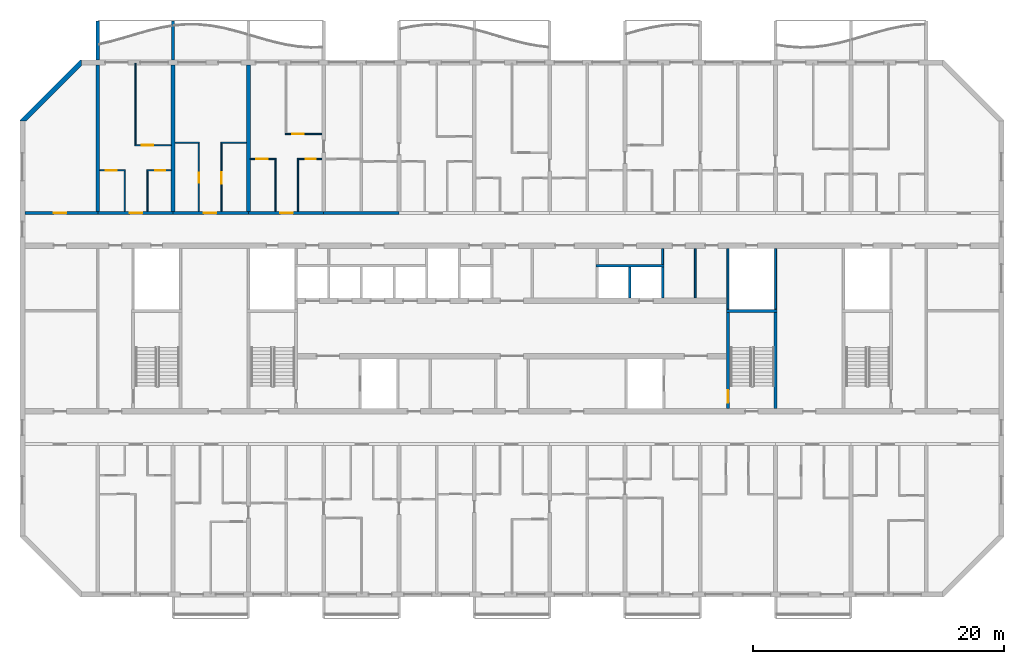
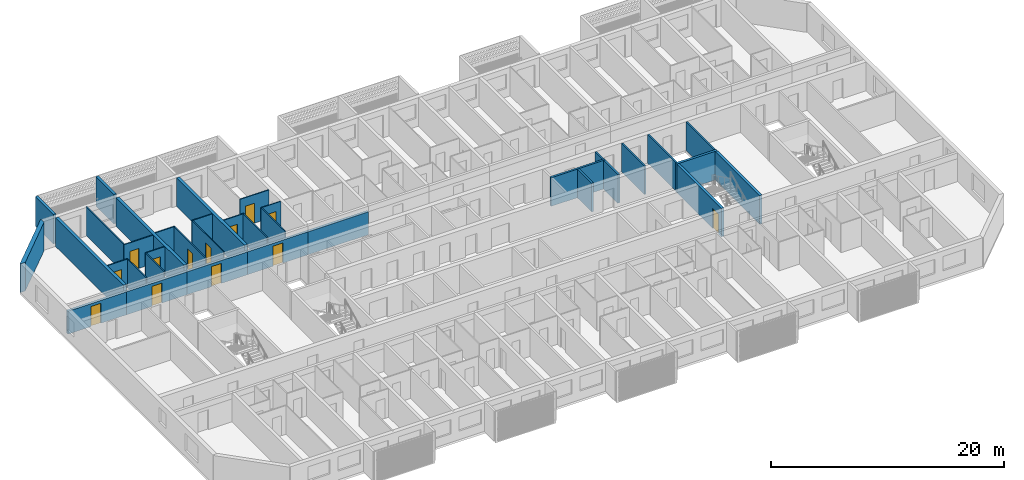
# One storey, part 8 of 32: 36 walls, 13 doors, 13 openings.
"""IFC4 building model written with IfcOpenShell, lengths in metres."""

from ifc_helpers import new_model, si_unit, direction, frame, frame_2d, origin, place, context, subcontext, project, spatial, polyline, rectangle, outline, extrude, source, transform, mapped, material, layer, layer_set, type_object, element, fill, save


model = new_model("IFC4")

# Units and contexts
model_context = context("Model", 3, precision=1e-05, world=origin(), true_north=direction((0.0, 1.0)))
body_context = subcontext(model_context, "Body", "Model", "MODEL_VIEW")
ifc_project = project(units=[si_unit("LENGTHUNIT", "METRE"), si_unit("AREAUNIT", "SQUARE_METRE"), si_unit("VOLUMEUNIT", "CUBIC_METRE"), si_unit("PLANEANGLEUNIT", "RADIAN"), si_unit("MASSUNIT", "GRAM", prefix="KILO")], contexts=[model_context])

# Site, building, storey
site_placement = place(None, origin())
site = spatial("IfcSite", under=ifc_project, at=site_placement, CompositionType="ELEMENT")
building_placement = place(site_placement, origin())
building = spatial("IfcBuilding", under=site, at=building_placement, Name="Poui Terraces", CompositionType="ELEMENT")
storey_placement = place(building_placement, frame((0.0, 0.0, 155.39990234375)))
storey = spatial("IfcBuildingStorey", under=building, at=storey_placement, Name="L43", CompositionType="ELEMENT", Elevation=155.39990234375)

# Wall, opening, door
ifc_material_1 = material(Name="Concrete 65 MPa", Category="concrete")
ifc_layer_1 = layer(ifc_material_1, 0.25)
ifc_layer_set_1 = layer_set([ifc_layer_1], Name="Concrete 65 MPa")
wall_type_1 = type_object("IfcWallType", Name="CORRIDOR WALL 250 65MPa", PredefinedType="SHEAR", material=ifc_layer_set_1)
wall_1_placement = place(storey_placement, frame((12.199951171875, 30.39990234375, 0.0), z_axis=(0.0, 0.0, 1.0), x_axis=(1.0, 0.0, 0.0)))
wall_1 = element("IfcWall", 1, at=wall_1_placement, inside=storey, type_object=wall_type_1, Name="CORRIDOR WALL LINE E BAY 1", PredefinedType="SHEAR", context=body_context, shape_type="SweptSolid", body=[
    extrude(rectangle(XDim=5.800048828125, YDim=0.25, at=frame_2d((2.89990234375, 0.0))), origin(), (0.0, 0.0, 1.0), 2.400146484375),
])
opening_1_placement = place(wall_1_placement, frame((2.300048828125, 0.0, 0.0)))
opening_1 = element("IfcOpeningElement", 2, at=opening_1_placement, cuts=wall_1, Name="Opening D100", PredefinedType="OPENING", context=body_context, shape_type="SweptSolid", body=[
    extrude(rectangle(XDim=1.0, YDim=2.10009765625, at=frame_2d((0.5, 1.050048828125))), frame((0.0, 0.135009765625, 0.0), z_axis=(0.0, -1.0, 0.0), x_axis=(1.0, 0.0, 0.0)), (0.0, 0.0, 1.0), 0.27001953125),
])
ifc_material_2 = material(Name="Solid core timber door", Category="wood")
door_type_1 = type_object("IfcDoorType", Name="ACCESSIBLE INTERNAL DOOR 1000 X 2100", OperationType="NOTDEFINED", PredefinedType="DOOR", material=ifc_material_2)
door_1_placement = place(opening_1_placement, origin())
door_1 = element("IfcDoor", 3, at=door_1_placement, inside=storey, type_object=door_type_1, Name="ACCESSIBLE INTERNAL DOOR 029", OperationType="SINGLE_SWING_LEFT", OverallHeight=2.10009765625, OverallWidth=1.0, PredefinedType="DOOR", context=body_context, shape_type="SweptSolid", body=[
    extrude(rectangle(XDim=1.0, YDim=2.10009765625, at=frame_2d((0.5, 1.050048828125))), frame((0.0, 0.02490234375, 0.0), z_axis=(0.0, -1.0, 0.0), x_axis=(1.0, 0.0, 0.0)), (0.0, 0.0, 1.0), 0.050048828125),
])
fill(opening_1, door_1)

wall_2_placement = place(storey_placement, frame((18.0, 30.39990234375, 0.0), z_axis=(0.0, 0.0, 1.0), x_axis=(1.0, 0.0, 0.0)))
wall_2 = element("IfcWall", 4, at=wall_2_placement, inside=storey, type_object=wall_type_1, Name="CORRIDOR WALL LINE E BAY 2", PredefinedType="SHEAR", context=body_context, shape_type="SweptSolid", body=[
    extrude(rectangle(XDim=6.0, YDim=0.25, at=frame_2d((3.0, 0.0))), origin(), (0.0, 0.0, 1.0), 2.400146484375),
])
opening_2_placement = place(wall_2_placement, frame((2.550048828125, 0.0, 0.0)))
opening_2 = element("IfcOpeningElement", 5, at=opening_2_placement, cuts=wall_2, Name="Opening FD30S", PredefinedType="OPENING", context=body_context, shape_type="SweptSolid", body=[
    extrude(rectangle(XDim=1.0, YDim=2.10009765625, at=frame_2d((0.5, 1.050048828125))), frame((0.0, 0.135009765625, 0.0), z_axis=(0.0, -1.0, 0.0), x_axis=(1.0, 0.0, 0.0)), (0.0, 0.0, 1.0), 0.27001953125),
])
ifc_material_3 = material(Name="Steel fire door", Category="steel")
door_type_2 = type_object("IfcDoorType", Name="FLAT ENTRANCE DOOR 1000 X 2100", OperationType="NOTDEFINED", PredefinedType="DOOR", material=ifc_material_3)
door_2_placement = place(opening_2_placement, origin())
door_2 = element("IfcDoor", 6, at=door_2_placement, inside=storey, type_object=door_type_2, Name="FLAT ENTRANCE DOOR 031", OperationType="SINGLE_SWING_RIGHT", OverallHeight=2.10009765625, OverallWidth=1.0, PredefinedType="DOOR", context=body_context, shape_type="SweptSolid", body=[
    extrude(rectangle(XDim=1.0, YDim=2.10009765625, at=frame_2d((0.5, 1.050048828125))), frame((0.0, 0.02490234375, 0.0), z_axis=(0.0, -1.0, 0.0), x_axis=(1.0, 0.0, 0.0)), (0.0, 0.0, 1.0), 0.050048828125),
])
fill(opening_2, door_2)

wall_3_placement = place(storey_placement, frame((24.0, 30.39990234375, 0.0), z_axis=(0.0, 0.0, 1.0), x_axis=(1.0, 0.0, 0.0)))
wall_3 = element("IfcWall", 7, at=wall_3_placement, inside=storey, type_object=wall_type_1, Name="CORRIDOR WALL LINE E BAY 3", PredefinedType="SHEAR", context=body_context, shape_type="SweptSolid", body=[
    extrude(rectangle(XDim=6.0, YDim=0.25, at=frame_2d((3.0, 0.0))), origin(), (0.0, 0.0, 1.0), 2.400146484375),
])
opening_3_placement = place(wall_3_placement, frame((2.449951171875, 0.0, 0.0)))
opening_3 = element("IfcOpeningElement", 8, at=opening_3_placement, cuts=wall_3, Name="Opening FD30S", PredefinedType="OPENING", context=body_context, shape_type="SweptSolid", body=[
    extrude(rectangle(XDim=1.0, YDim=2.10009765625, at=frame_2d((0.5, 1.050048828125))), frame((0.0, 0.135009765625, 0.0), z_axis=(0.0, -1.0, 0.0), x_axis=(1.0, 0.0, 0.0)), (0.0, 0.0, 1.0), 0.27001953125),
])
door_3_placement = place(opening_3_placement, origin())
door_3 = element("IfcDoor", 9, at=door_3_placement, inside=storey, type_object=door_type_2, Name="FLAT ENTRANCE DOOR 035", OperationType="SINGLE_SWING_LEFT", OverallHeight=2.10009765625, OverallWidth=1.0, PredefinedType="DOOR", context=body_context, shape_type="SweptSolid", body=[
    extrude(rectangle(XDim=1.0, YDim=2.10009765625, at=frame_2d((0.5, 1.050048828125))), frame((0.0, 0.02490234375, 0.0), z_axis=(0.0, -1.0, 0.0), x_axis=(1.0, 0.0, 0.0)), (0.0, 0.0, 1.0), 0.050048828125),
])
fill(opening_3, door_3)

wall_4_placement = place(storey_placement, frame((30.0, 30.39990234375, 0.0), z_axis=(0.0, 0.0, 1.0), x_axis=(1.0, 0.0, 0.0)))
wall_4 = element("IfcWall", 10, at=wall_4_placement, inside=storey, type_object=wall_type_1, Name="CORRIDOR WALL LINE E BAY 4", PredefinedType="SHEAR", context=body_context, shape_type="SweptSolid", body=[
    extrude(rectangle(XDim=6.0, YDim=0.25, at=frame_2d((3.0, 0.0))), origin(), (0.0, 0.0, 1.0), 2.400146484375),
])
opening_4_placement = place(wall_4_placement, frame((2.550048828125, 0.0, 0.0)))
opening_4 = element("IfcOpeningElement", 11, at=opening_4_placement, cuts=wall_4, Name="Opening FD30S", PredefinedType="OPENING", context=body_context, shape_type="SweptSolid", body=[
    extrude(rectangle(XDim=1.0, YDim=2.10009765625, at=frame_2d((0.5, 1.050048828125))), frame((0.0, 0.135009765625, 0.0), z_axis=(0.0, -1.0, 0.0), x_axis=(1.0, 0.0, 0.0)), (0.0, 0.0, 1.0), 0.27001953125),
])
door_4_placement = place(opening_4_placement, origin())
door_4 = element("IfcDoor", 12, at=door_4_placement, inside=storey, type_object=door_type_2, Name="FLAT ENTRANCE DOOR 039", OperationType="SINGLE_SWING_RIGHT", OverallHeight=2.10009765625, OverallWidth=1.0, PredefinedType="DOOR", context=body_context, shape_type="SweptSolid", body=[
    extrude(rectangle(XDim=1.0, YDim=2.10009765625, at=frame_2d((0.5, 1.050048828125))), frame((0.0, 0.02490234375, 0.0), z_axis=(0.0, -1.0, 0.0), x_axis=(1.0, 0.0, 0.0)), (0.0, 0.0, 1.0), 0.050048828125),
])
fill(opening_4, door_4)

# Walls
wall_5_placement = place(storey_placement, frame((36.0, 30.39990234375, 0.0), z_axis=(0.0, 0.0, 1.0), x_axis=(1.0, 0.0, 0.0)))
element("IfcWall", 13, at=wall_5_placement, inside=storey, type_object=wall_type_1, Name="CORRIDOR WALL LINE E BAY 5", PredefinedType="SHEAR", context=body_context, shape_type="SweptSolid", body=[
    extrude(rectangle(XDim=6.0, YDim=0.25, at=frame_2d((3.0, 0.0))), origin(), (0.0, 0.0, 1.0), 2.400146484375),
])
ifc_layer_2 = layer(ifc_material_1, 0.300048828125)
ifc_layer_set_2 = layer_set([ifc_layer_2], Name="Concrete 65 MPa")
wall_type_2 = type_object("IfcWallType", Name="CROSS WALL 300 65MPa", PredefinedType="SHEAR", material=ifc_layer_set_2)
for number, where, z_axis, x_axis, name in (
    (14, (18.0, 30.52490234375, 0.0), (0.0, 0.0, 1.0), (0.0, 1.0, 0.0), "CROSS WALL LINE 4 NORTH"),
    (15, (24.0, 30.52490234375, 0.0), (0.0, 0.0, 1.0), (0.0, 1.0, 0.0), "CROSS WALL LINE 5 NORTH"),
    (16, (30.0, 30.52490234375, 0.0), (0.0, 0.0, 1.0), (0.0, 1.0, 0.0), "CROSS WALL LINE 6 NORTH"),
):
    element("IfcWall", number, at=place(storey_placement, frame(where, z_axis=z_axis, x_axis=x_axis)), inside=storey, type_object=wall_type_2, Name=name, PredefinedType="SHEAR", context=body_context, shape_type="SweptSolid", body=[
        extrude(rectangle(XDim=11.675048828125, YDim=0.300048828125, at=frame_2d((5.83740234375, 0.0))), origin(), (0.0, 0.0, 1.0), 3.0),
    ])

# Wall, opening, door
ifc_material_4 = material(Name="Plasterboard partition")
ifc_layer_3 = layer(ifc_material_4, 0.10009765625)
ifc_layer_set_3 = layer_set([ifc_layer_3], Name="Plasterboard partition")
wall_type_3 = type_object("IfcWallType", Name="FLAT PARTITION 100", PredefinedType="PARTITIONING", material=ifc_layer_set_3)
wall_6_placement = place(storey_placement, frame((18.159912109375, 33.800048828125, 0.0), z_axis=(0.0, 0.0, 1.0), x_axis=(1.0, 0.0, 0.0)))
wall_6 = element("IfcWall", 17, at=wall_6_placement, inside=storey, type_object=wall_type_3, Name="FLAT PARTITION 100", PredefinedType="PARTITIONING", context=body_context, shape_type="SweptSolid", body=[
    extrude(rectangle(XDim=2.0400390625, YDim=0.10009765625, at=frame_2d((1.02001953125, 0.0))), origin(), (0.0, 0.0, 1.0), 3.0),
])
opening_5_placement = place(wall_6_placement, frame((0.465087890625, 0.0, 0.0)))
opening_5 = element("IfcOpeningElement", 18, at=opening_5_placement, cuts=wall_6, Name="Opening D90", PredefinedType="OPENING", context=body_context, shape_type="SweptSolid", body=[
    extrude(rectangle(XDim=0.89990234375, YDim=2.10009765625, at=frame_2d((0.449951171875, 1.050048828125))), frame((0.0, 0.06005859375, 0.0), z_axis=(0.0, -1.0, 0.0), x_axis=(1.0, 0.0, 0.0)), (0.0, 0.0, 1.0), 0.1201171875),
])
door_type_3 = type_object("IfcDoorType", Name="INTERNAL DOOR 900 X 2100", OperationType="NOTDEFINED", PredefinedType="DOOR", material=ifc_material_2)
door_5_placement = place(opening_5_placement, frame((0.89990234375, 0.0, 0.0), z_axis=(0.0, 0.0, 1.0), x_axis=(-1.0, 0.0, 0.0)))
door_5 = element("IfcDoor", 19, at=door_5_placement, inside=storey, type_object=door_type_3, Name="INTERNAL DOOR 030", OperationType="SINGLE_SWING_LEFT", OverallHeight=2.10009765625, OverallWidth=0.89990234375, PredefinedType="DOOR", context=body_context, shape_type="SweptSolid", body=[
    extrude(rectangle(XDim=0.89990234375, YDim=2.10009765625, at=frame_2d((0.449951171875, 1.050048828125))), frame((0.0, 0.02490234375, 0.0), z_axis=(0.0, -1.0, 0.0), x_axis=(1.0, 0.0, 0.0)), (0.0, 0.0, 1.0), 0.050048828125),
])
fill(opening_5, door_5)

wall_7_placement = place(storey_placement, frame((21.89990234375, 33.800048828125, 0.0), z_axis=(0.0, 0.0, 1.0), x_axis=(1.0, 0.0, 0.0)))
wall_7 = element("IfcWall", 20, at=wall_7_placement, inside=storey, type_object=wall_type_3, Name="FLAT PARTITION 100", PredefinedType="PARTITIONING", context=body_context, shape_type="SweptSolid", body=[
    extrude(rectangle(XDim=1.940185546875, YDim=0.10009765625, at=frame_2d((0.97021484375, 0.0))), origin(), (0.0, 0.0, 1.0), 3.0),
])
opening_6_placement = place(wall_7_placement, frame((0.675048828125, 0.0, 0.0)))
opening_6 = element("IfcOpeningElement", 21, at=opening_6_placement, cuts=wall_7, Name="Opening D80", PredefinedType="OPENING", context=body_context, shape_type="SweptSolid", body=[
    extrude(rectangle(XDim=0.800048828125, YDim=2.10009765625, at=frame_2d((0.39990234375, 1.050048828125))), frame((0.0, 0.06005859375, 0.0), z_axis=(0.0, -1.0, 0.0), x_axis=(1.0, 0.0, 0.0)), (0.0, 0.0, 1.0), 0.1201171875),
])
door_type_4 = type_object("IfcDoorType", Name="BATHROOM, LAUNDRY AND STORE DOOR 800 X 2100", OperationType="NOTDEFINED", PredefinedType="DOOR", material=ifc_material_2)
door_6_placement = place(opening_6_placement, frame((0.800048828125, 0.0, 0.0), z_axis=(0.0, 0.0, 1.0), x_axis=(-1.0, 0.0, 0.0)))
door_6 = element("IfcDoor", 22, at=door_6_placement, inside=storey, type_object=door_type_4, Name="BATHROOM, LAUNDRY AND STORE DOOR 033", OperationType="SINGLE_SWING_RIGHT", OverallHeight=2.10009765625, OverallWidth=0.800048828125, PredefinedType="DOOR", context=body_context, shape_type="SweptSolid", body=[
    extrude(rectangle(XDim=0.800048828125, YDim=2.10009765625, at=frame_2d((0.39990234375, 1.050048828125))), frame((0.0, 0.02490234375, 0.0), z_axis=(0.0, -1.0, 0.0), x_axis=(1.0, 0.0, 0.0)), (0.0, 0.0, 1.0), 0.050048828125),
])
fill(opening_6, door_6)

wall_8_placement = place(storey_placement, frame((30.159912109375, 34.699951171875, 0.0), z_axis=(0.0, 0.0, 1.0), x_axis=(1.0, 0.0, 0.0)))
wall_8 = element("IfcWall", 23, at=wall_8_placement, inside=storey, type_object=wall_type_3, Name="FLAT PARTITION 100", PredefinedType="PARTITIONING", context=body_context, shape_type="SweptSolid", body=[
    extrude(rectangle(XDim=2.0400390625, YDim=0.10009765625, at=frame_2d((1.02001953125, 0.0))), origin(), (0.0, 0.0, 1.0), 3.0),
])
opening_7_placement = place(wall_8_placement, frame((0.465087890625, 0.0, 0.0)))
opening_7 = element("IfcOpeningElement", 24, at=opening_7_placement, cuts=wall_8, Name="Opening D90", PredefinedType="OPENING", context=body_context, shape_type="SweptSolid", body=[
    extrude(rectangle(XDim=0.89990234375, YDim=2.10009765625, at=frame_2d((0.449951171875, 1.050048828125))), frame((0.0, 0.06005859375, 0.0), z_axis=(0.0, -1.0, 0.0), x_axis=(1.0, 0.0, 0.0)), (0.0, 0.0, 1.0), 0.1201171875),
])
door_7_placement = place(opening_7_placement, frame((0.89990234375, 0.0, 0.0), z_axis=(0.0, 0.0, 1.0), x_axis=(-1.0, 0.0, 0.0)))
door_7 = element("IfcDoor", 25, at=door_7_placement, inside=storey, type_object=door_type_3, Name="INTERNAL DOOR 038", OperationType="SINGLE_SWING_LEFT", OverallHeight=2.10009765625, OverallWidth=0.89990234375, PredefinedType="DOOR", context=body_context, shape_type="SweptSolid", body=[
    extrude(rectangle(XDim=0.89990234375, YDim=2.10009765625, at=frame_2d((0.449951171875, 1.050048828125))), frame((0.0, 0.02490234375, 0.0), z_axis=(0.0, -1.0, 0.0), x_axis=(1.0, 0.0, 0.0)), (0.0, 0.0, 1.0), 0.050048828125),
])
fill(opening_7, door_7)

wall_9_placement = place(storey_placement, frame((33.89990234375, 34.699951171875, 0.0), z_axis=(0.0, 0.0, 1.0), x_axis=(1.0, 0.0, 0.0)))
wall_9 = element("IfcWall", 26, at=wall_9_placement, inside=storey, type_object=wall_type_3, Name="FLAT PARTITION 100", PredefinedType="PARTITIONING", context=body_context, shape_type="SweptSolid", body=[
    extrude(rectangle(XDim=1.940185546875, YDim=0.10009765625, at=frame_2d((0.97021484375, 0.0))), origin(), (0.0, 0.0, 1.0), 3.0),
])
opening_8_placement = place(wall_9_placement, frame((0.675048828125, 0.0, 0.0)))
opening_8 = element("IfcOpeningElement", 27, at=opening_8_placement, cuts=wall_9, Name="Opening D80", PredefinedType="OPENING", context=body_context, shape_type="SweptSolid", body=[
    extrude(rectangle(XDim=0.800048828125, YDim=2.10009765625, at=frame_2d((0.39990234375, 1.050048828125))), frame((0.0, 0.06005859375, 0.0), z_axis=(0.0, -1.0, 0.0), x_axis=(1.0, 0.0, 0.0)), (0.0, 0.0, 1.0), 0.1201171875),
])
door_8_placement = place(opening_8_placement, frame((0.800048828125, 0.0, 0.0), z_axis=(0.0, 0.0, 1.0), x_axis=(-1.0, 0.0, 0.0)))
door_8 = element("IfcDoor", 28, at=door_8_placement, inside=storey, type_object=door_type_4, Name="BATHROOM, LAUNDRY AND STORE DOOR 041", OperationType="SINGLE_SWING_RIGHT", OverallHeight=2.10009765625, OverallWidth=0.800048828125, PredefinedType="DOOR", context=body_context, shape_type="SweptSolid", body=[
    extrude(rectangle(XDim=0.800048828125, YDim=2.10009765625, at=frame_2d((0.39990234375, 1.050048828125))), frame((0.0, 0.02490234375, 0.0), z_axis=(0.0, -1.0, 0.0), x_axis=(1.0, 0.0, 0.0)), (0.0, 0.0, 1.0), 0.050048828125),
])
fill(opening_8, door_8)

wall_10_placement = place(storey_placement, frame((20.949951171875, 35.800048828125, 0.0), z_axis=(0.0, 0.0, 1.0), x_axis=(1.0, 0.0, 0.0)))
wall_10 = element("IfcWall", 29, at=wall_10_placement, inside=storey, type_object=wall_type_3, Name="FLAT PARTITION 100", PredefinedType="PARTITIONING", context=body_context, shape_type="SweptSolid", body=[
    extrude(rectangle(XDim=2.89013671875, YDim=0.10009765625, at=frame_2d((1.445068359375, 0.0))), origin(), (0.0, 0.0, 1.0), 3.0),
])
opening_9_placement = place(wall_10_placement, frame((0.550048828125, 0.0, 0.0)))
opening_9 = element("IfcOpeningElement", 30, at=opening_9_placement, cuts=wall_10, Name="Opening D90", PredefinedType="OPENING", context=body_context, shape_type="SweptSolid", body=[
    extrude(rectangle(XDim=0.89990234375, YDim=2.10009765625, at=frame_2d((0.449951171875, 1.050048828125))), frame((0.0, 0.06005859375, 0.0), z_axis=(0.0, -1.0, 0.0), x_axis=(1.0, 0.0, 0.0)), (0.0, 0.0, 1.0), 0.1201171875),
])
door_9_placement = place(opening_9_placement, frame((0.89990234375, 0.0, 0.0), z_axis=(0.0, 0.0, 1.0), x_axis=(-1.0, 0.0, 0.0)))
door_9 = element("IfcDoor", 31, at=door_9_placement, inside=storey, type_object=door_type_3, Name="INTERNAL DOOR 032", OperationType="SINGLE_SWING_LEFT", OverallHeight=2.10009765625, OverallWidth=0.89990234375, PredefinedType="DOOR", context=body_context, shape_type="SweptSolid", body=[
    extrude(rectangle(XDim=0.89990234375, YDim=2.10009765625, at=frame_2d((0.449951171875, 1.050048828125))), frame((0.0, 0.02490234375, 0.0), z_axis=(0.0, -1.0, 0.0), x_axis=(1.0, 0.0, 0.0)), (0.0, 0.0, 1.0), 0.050048828125),
])
fill(opening_9, door_9)

# Walls
wall_11_placement = place(storey_placement, frame((24.159912109375, 36.0, 0.0), z_axis=(0.0, 0.0, 1.0), x_axis=(1.0, 0.0, 0.0)))
element("IfcWall", 32, at=wall_11_placement, inside=storey, type_object=wall_type_3, Name="FLAT PARTITION 100", PredefinedType="PARTITIONING", context=body_context, shape_type="SweptSolid", body=[
    extrude(rectangle(XDim=1.940185546875, YDim=0.10009765625, at=frame_2d((0.97021484375, 0.0))), origin(), (0.0, 0.0, 1.0), 3.0),
])
wall_12_placement = place(storey_placement, frame((27.800048828125, 36.0, 0.0), z_axis=(0.0, 0.0, 1.0), x_axis=(1.0, 0.0, 0.0)))
element("IfcWall", 33, at=wall_12_placement, inside=storey, type_object=wall_type_3, Name="FLAT PARTITION 100", PredefinedType="PARTITIONING", context=body_context, shape_type="SweptSolid", body=[
    extrude(rectangle(XDim=2.0400390625, YDim=0.10009765625, at=frame_2d((1.02001953125, 0.0))), origin(), (0.0, 0.0, 1.0), 3.0),
])

# Wall, opening, door
wall_13_placement = place(storey_placement, frame((32.949951171875, 36.699951171875, 0.0), z_axis=(0.0, 0.0, 1.0), x_axis=(1.0, 0.0, 0.0)))
wall_13 = element("IfcWall", 34, at=wall_13_placement, inside=storey, type_object=wall_type_3, Name="FLAT PARTITION 100", PredefinedType="PARTITIONING", context=body_context, shape_type="SweptSolid", body=[
    extrude(rectangle(XDim=2.89013671875, YDim=0.10009765625, at=frame_2d((1.445068359375, 0.0))), origin(), (0.0, 0.0, 1.0), 3.0),
])
opening_10_placement = place(wall_13_placement, frame((0.550048828125, 0.0, 0.0)))
opening_10 = element("IfcOpeningElement", 35, at=opening_10_placement, cuts=wall_13, Name="Opening D90", PredefinedType="OPENING", context=body_context, shape_type="SweptSolid", body=[
    extrude(rectangle(XDim=0.89990234375, YDim=2.10009765625, at=frame_2d((0.449951171875, 1.050048828125))), frame((0.0, 0.06005859375, 0.0), z_axis=(0.0, -1.0, 0.0), x_axis=(1.0, 0.0, 0.0)), (0.0, 0.0, 1.0), 0.1201171875),
])
door_10_placement = place(opening_10_placement, frame((0.89990234375, 0.0, 0.0), z_axis=(0.0, 0.0, 1.0), x_axis=(-1.0, 0.0, 0.0)))
door_10 = element("IfcDoor", 36, at=door_10_placement, inside=storey, type_object=door_type_3, Name="INTERNAL DOOR 040", OperationType="SINGLE_SWING_LEFT", OverallHeight=2.10009765625, OverallWidth=0.89990234375, PredefinedType="DOOR", context=body_context, shape_type="SweptSolid", body=[
    extrude(rectangle(XDim=0.89990234375, YDim=2.10009765625, at=frame_2d((0.449951171875, 1.050048828125))), frame((0.0, 0.02490234375, 0.0), z_axis=(0.0, -1.0, 0.0), x_axis=(1.0, 0.0, 0.0)), (0.0, 0.0, 1.0), 0.050048828125),
])
fill(opening_10, door_10)

# Walls
wall_14_placement = place(storey_placement, frame((20.14990234375, 30.534912109375, 0.0), z_axis=(0.0, 0.0, 1.0), x_axis=(0.0, 1.0, 0.0)))
element("IfcWall", 37, at=wall_14_placement, inside=storey, type_object=wall_type_3, Name="FLAT PARTITION 100", PredefinedType="PARTITIONING", context=body_context, shape_type="SweptSolid", body=[
    extrude(rectangle(XDim=3.215087890625, YDim=0.10009765625, at=frame_2d((1.607421875, 0.0))), origin(), (0.0, 0.0, 1.0), 3.0),
])
wall_15_placement = place(storey_placement, frame((21.0, 35.85009765625, 0.0), z_axis=(0.0, 0.0, 1.0), x_axis=(0.0, 1.0, 0.0)))
element("IfcWall", 38, at=wall_15_placement, inside=storey, type_object=wall_type_3, Name="FLAT PARTITION 100", PredefinedType="PARTITIONING", context=body_context, shape_type="SweptSolid", body=[
    extrude(rectangle(XDim=6.489990234375, YDim=0.10009765625, at=frame_2d((3.2451171875, 0.0))), origin(), (0.0, 0.0, 1.0), 3.0),
])
wall_16_placement = place(storey_placement, frame((21.949951171875, 30.534912109375, 0.0), z_axis=(0.0, 0.0, 1.0), x_axis=(0.0, 1.0, 0.0)))
element("IfcWall", 39, at=wall_16_placement, inside=storey, type_object=wall_type_3, Name="FLAT PARTITION 100", PredefinedType="PARTITIONING", context=body_context, shape_type="SweptSolid", body=[
    extrude(rectangle(XDim=3.215087890625, YDim=0.10009765625, at=frame_2d((1.607421875, 0.0))), origin(), (0.0, 0.0, 1.0), 3.0),
])

# Wall, opening, door
wall_17_placement = place(storey_placement, frame((26.050048828125, 30.534912109375, 0.0), z_axis=(0.0, 0.0, 1.0), x_axis=(0.0, 1.0, 0.0)))
wall_17 = element("IfcWall", 40, at=wall_17_placement, inside=storey, type_object=wall_type_3, Name="FLAT PARTITION 100", PredefinedType="PARTITIONING", context=body_context, shape_type="SweptSolid", body=[
    extrude(rectangle(XDim=5.4150390625, YDim=0.10009765625, at=frame_2d((2.70751953125, 0.0))), origin(), (0.0, 0.0, 1.0), 3.0),
])
opening_11_placement = place(wall_17_placement, frame((2.264892578125, 0.0, 0.0)))
opening_11 = element("IfcOpeningElement", 41, at=opening_11_placement, cuts=wall_17, Name="Opening D80", PredefinedType="OPENING", context=body_context, shape_type="SweptSolid", body=[
    extrude(rectangle(XDim=0.800048828125, YDim=2.10009765625, at=frame_2d((0.39990234375, 1.050048828125))), frame((0.0, 0.06005859375, 0.0), z_axis=(0.0, -1.0, 0.0), x_axis=(1.0, 0.0, 0.0)), (0.0, 0.0, 1.0), 0.1201171875),
])
door_11_placement = place(opening_11_placement, origin())
door_11 = element("IfcDoor", 42, at=door_11_placement, inside=storey, type_object=door_type_4, Name="BATHROOM, LAUNDRY AND STORE DOOR 034", OperationType="SINGLE_SWING_RIGHT", OverallHeight=2.10009765625, OverallWidth=0.800048828125, PredefinedType="DOOR", context=body_context, shape_type="SweptSolid", body=[
    extrude(rectangle(XDim=0.800048828125, YDim=2.10009765625, at=frame_2d((0.39990234375, 1.050048828125))), frame((0.0, 0.02490234375, 0.0), z_axis=(0.0, -1.0, 0.0), x_axis=(1.0, 0.0, 0.0)), (0.0, 0.0, 1.0), 0.050048828125),
])
fill(opening_11, door_11)

wall_18_placement = place(storey_placement, frame((27.85009765625, 30.534912109375, 0.0), z_axis=(0.0, 0.0, 1.0), x_axis=(0.0, 1.0, 0.0)))
wall_18 = element("IfcWall", 43, at=wall_18_placement, inside=storey, type_object=wall_type_3, Name="FLAT PARTITION 100", PredefinedType="PARTITIONING", context=body_context, shape_type="SweptSolid", body=[
    extrude(rectangle(XDim=5.4150390625, YDim=0.10009765625, at=frame_2d((2.70751953125, 0.0))), origin(), (0.0, 0.0, 1.0), 3.0),
])
opening_12_placement = place(wall_18_placement, frame((2.215087890625, 0.0, 0.0)))
opening_12 = element("IfcOpeningElement", 44, at=opening_12_placement, cuts=wall_18, Name="Opening D90", PredefinedType="OPENING", context=body_context, shape_type="SweptSolid", body=[
    extrude(rectangle(XDim=0.89990234375, YDim=2.10009765625, at=frame_2d((0.449951171875, 1.050048828125))), frame((0.0, 0.06005859375, 0.0), z_axis=(0.0, -1.0, 0.0), x_axis=(1.0, 0.0, 0.0)), (0.0, 0.0, 1.0), 0.1201171875),
])
door_12_placement = place(opening_12_placement, frame((0.89990234375, 0.0, 0.0), z_axis=(0.0, 0.0, 1.0), x_axis=(-1.0, 0.0, 0.0)))
door_12 = element("IfcDoor", 45, at=door_12_placement, inside=storey, type_object=door_type_3, Name="INTERNAL DOOR 036", OperationType="SINGLE_SWING_RIGHT", OverallHeight=2.10009765625, OverallWidth=0.89990234375, PredefinedType="DOOR", context=body_context, shape_type="SweptSolid", body=[
    extrude(rectangle(XDim=0.89990234375, YDim=2.10009765625, at=frame_2d((0.449951171875, 1.050048828125))), frame((0.0, 0.02490234375, 0.0), z_axis=(0.0, -1.0, 0.0), x_axis=(1.0, 0.0, 0.0)), (0.0, 0.0, 1.0), 0.050048828125),
])
fill(opening_12, door_12)

# Walls
for number, where, z_axis, x_axis, name in (
    (46, (32.14990234375, 30.534912109375, 0.0), (0.0, 0.0, 1.0), (0.0, 1.0, 0.0), "FLAT PARTITION 100"),
    (47, (33.949951171875, 30.534912109375, 0.0), (0.0, 0.0, 1.0), (0.0, 1.0, 0.0), "FLAT PARTITION 100"),
):
    element("IfcWall", number, at=place(storey_placement, frame(where, z_axis=z_axis, x_axis=x_axis)), inside=storey, type_object=wall_type_3, Name=name, PredefinedType="PARTITIONING", context=body_context, shape_type="SweptSolid", body=[
        extrude(rectangle(XDim=4.114990234375, YDim=0.10009765625, at=frame_2d((2.0576171875, 0.0))), origin(), (0.0, 0.0, 1.0), 3.0),
    ])
ifc_layer_4 = layer(ifc_material_4, 0.14990234375)
ifc_layer_set_4 = layer_set([ifc_layer_4], Name="Plasterboard partition")
wall_type_4 = type_object("IfcWallType", Name="PARTITION WALL 150", PredefinedType="PARTITIONING", material=ifc_layer_set_4)
wall_19_placement = place(storey_placement, frame((63.0, 26.300048828125, 0.0), z_axis=(0.0, 0.0, 1.0), x_axis=(0.0, 1.0, 0.0)))
element("IfcWall", 48, at=wall_19_placement, inside=storey, type_object=wall_type_4, Name="PARTITION WALL 150", PredefinedType="PARTITIONING", context=body_context, shape_type="SweptSolid", body=[
    extrude(rectangle(XDim=1.264892578125, YDim=0.14990234375, at=frame_2d((0.63232421875, 0.0))), origin(), (0.0, 0.0, 1.0), 3.0),
])
wall_20_placement = place(storey_placement, frame((65.60009765625, 23.635009765625, 0.0), z_axis=(0.0, 0.0, 1.0), x_axis=(0.0, 1.0, 0.0)))
element("IfcWall", 49, at=wall_20_placement, inside=storey, type_object=wall_type_4, Name="PARTITION WALL 150", PredefinedType="PARTITIONING", context=body_context, shape_type="SweptSolid", body=[
    extrude(rectangle(XDim=3.929931640625, YDim=0.14990234375, at=frame_2d((1.96484375, 0.0))), origin(), (0.0, 0.0, 1.0), 3.0),
])
ifc_material_5 = material(Name="Fire-rated plasterboard riser wall")
ifc_layer_5 = layer(ifc_material_5, 0.14990234375)
ifc_layer_set_5 = layer_set([ifc_layer_5], Name="Fire-rated plasterboard riser wall")
wall_type_5 = type_object("IfcWallType", Name="RISER WALL 150", PredefinedType="PARTITIONING", material=ifc_layer_set_5)
for number, where, z_axis, x_axis, name in (
    (50, (68.199951171875, 22.735107421875, 0.0), (0.0, 0.0, 1.0), (0.0, 1.0, 0.0), "RISER WALL 150"),
    (51, (72.0, 22.735107421875, 0.0), (0.0, 0.0, 1.0), (0.0, 1.0, 0.0), "RISER WALL 150"),
):
    element("IfcWall", number, at=place(storey_placement, frame(where, z_axis=z_axis, x_axis=x_axis)), inside=storey, type_object=wall_type_5, Name=name, PredefinedType="PARTITIONING", context=body_context, shape_type="SweptSolid", body=[
        extrude(rectangle(XDim=4.829833984375, YDim=0.14990234375, at=frame_2d((2.4150390625, 0.0))), origin(), (0.0, 0.0, 1.0), 3.0),
    ])
ifc_material_6 = material(Name="Fire-rated masonry shaft wall", Category="masonry")
ifc_layer_6 = layer(ifc_material_6, 0.199951171875)
ifc_layer_set_6 = layer_set([ifc_layer_6], Name="Fire-rated masonry shaft wall")
wall_type_6 = type_object("IfcWallType", Name="SHAFT WALL 200", PredefinedType="PARTITIONING", material=ifc_layer_set_6)
wall_21_placement = place(storey_placement, frame((57.699951171875, 26.199951171875, 0.0), z_axis=(0.0, 0.0, 1.0), x_axis=(1.0, 0.0, 0.0)))
element("IfcWall", 52, at=wall_21_placement, inside=storey, type_object=wall_type_6, Name="SHAFT WALL 200", PredefinedType="PARTITIONING", context=body_context, shape_type="SweptSolid", body=[
    extrude(rectangle(XDim=5.400146484375, YDim=0.199951171875, at=frame_2d((2.7001953125, 0.0))), origin(), (0.0, 0.0, 1.0), 3.0),
])
for number, where, z_axis, x_axis, name in (
    (53, (60.39990234375, 23.635009765625, 0.0), (0.0, 0.0, 1.0), (0.0, 1.0, 0.0), "SHAFT WALL 200"),
    (54, (63.0, 23.635009765625, 0.0), (0.0, 0.0, 1.0), (0.0, 1.0, 0.0), "SHAFT WALL 200"),
):
    element("IfcWall", number, at=place(storey_placement, frame(where, z_axis=z_axis, x_axis=x_axis)), inside=storey, type_object=wall_type_6, Name=name, PredefinedType="PARTITIONING", context=body_context, shape_type="SweptSolid", body=[
        extrude(rectangle(XDim=2.465087890625, YDim=0.199951171875, at=frame_2d((1.232421875, 0.0))), origin(), (0.0, 0.0, 1.0), 3.0),
    ])

# Wall, opening, door
ifc_layer_7 = layer(ifc_material_1, 0.25)
ifc_layer_set_7 = layer_set([ifc_layer_7], Name="Concrete 65 MPa")
wall_type_7 = type_object("IfcWallType", Name="STAIR CORE WALL 250 65 MPA", PredefinedType="SOLIDWALL", material=ifc_layer_set_7)
wall_22_placement = place(storey_placement, frame((68.199951171875, 14.824951171875, 0.0), z_axis=(0.0, 0.0, 1.0), x_axis=(0.0, 1.0, 0.0)))
wall_22 = element("IfcWall", 55, at=wall_22_placement, inside=storey, type_object=wall_type_7, Name="STAIR CORE WALL", PredefinedType="SOLIDWALL", context=body_context, shape_type="SweptSolid", body=[
    extrude(rectangle(XDim=7.650146484375, YDim=0.25, at=frame_2d((3.8251953125, 0.0))), origin(), (0.0, 0.0, 1.0), 3.0),
])
opening_13_placement = place(wall_22_placement, frame((0.47509765625, 0.0, 0.0)))
opening_13 = element("IfcOpeningElement", 56, at=opening_13_placement, cuts=wall_22, Name="Opening FD60S", PredefinedType="OPENING", context=body_context, shape_type="SweptSolid", body=[
    extrude(rectangle(XDim=1.0, YDim=2.10009765625, at=frame_2d((0.5, 1.050048828125))), frame((0.0, 0.135009765625, 0.0), z_axis=(0.0, -1.0, 0.0), x_axis=(1.0, 0.0, 0.0)), (0.0, 0.0, 1.0), 0.27001953125),
])
door_type_5 = type_object("IfcDoorType", Name="STAIR DOOR 1000 X 2100", OperationType="NOTDEFINED", PredefinedType="DOOR", material=ifc_material_3)
door_13_placement = place(opening_13_placement, frame((1.0, 0.0, 0.0), z_axis=(0.0, 0.0, 1.0), x_axis=(-1.0, 0.0, 0.0)))
door_13 = element("IfcDoor", 57, at=door_13_placement, inside=storey, type_object=door_type_5, Name="STAIR DOOR 120", OperationType="SINGLE_SWING_LEFT", OverallHeight=2.10009765625, OverallWidth=1.0, PredefinedType="DOOR", context=body_context, shape_type="SweptSolid", body=[
    extrude(rectangle(XDim=1.0, YDim=2.10009765625, at=frame_2d((0.5, 1.050048828125))), frame((0.0, 0.02490234375, 0.0), z_axis=(0.0, -1.0, 0.0), x_axis=(1.0, 0.0, 0.0)), (0.0, 0.0, 1.0), 0.050048828125),
])
fill(opening_13, door_13)

# Walls
wall_23_placement = place(storey_placement, frame((72.0, 14.824951171875, 0.0), z_axis=(0.0, 0.0, 1.0), x_axis=(0.0, 1.0, 0.0)))
element("IfcWall", 58, at=wall_23_placement, inside=storey, type_object=wall_type_7, Name="STAIR CORE WALL", PredefinedType="SOLIDWALL", context=body_context, shape_type="SweptSolid", body=[
    extrude(rectangle(XDim=7.650146484375, YDim=0.25, at=frame_2d((3.8251953125, 0.0))), origin(), (0.0, 0.0, 1.0), 3.0),
])
wall_24_placement = place(storey_placement, frame((68.074951171875, 22.60009765625, 0.0), z_axis=(0.0, 0.0, 1.0), x_axis=(1.0, 0.0, 0.0)))
element("IfcWall", 59, at=wall_24_placement, inside=storey, type_object=wall_type_7, Name="STAIR CORE WALL", PredefinedType="SOLIDWALL", context=body_context, shape_type="SweptSolid", body=[
    extrude(rectangle(XDim=4.050048828125, YDim=0.25, at=frame_2d((2.02490234375, 0.0))), origin(), (0.0, 0.0, 1.0), 3.0),
])
ifc_material_7 = material(Name="Precast concrete 40 MPa", Category="concrete")
ifc_layer_8 = layer(ifc_material_7, 0.39990234375)
ifc_layer_set_8 = layer_set([ifc_layer_8], Name="Precast concrete 40 MPa")
wall_type_8 = type_object("IfcWallType", Name="TERRACOTTA CLAD CHAMFER WALL 400", PredefinedType="STANDARD", material=ifc_layer_set_8)
wall_25_placement = place(storey_placement, origin())
element("IfcWall", 60, at=wall_25_placement, inside=storey, type_object=wall_type_8, Name="CHAMFER WALL CH05", PredefinedType="STANDARD", context=body_context, shape_type="SweptSolid", body=[
    extrude(outline(polyline([(16.682861328125, 42.60009765625), (16.60009765625, 42.60009765625), (11.800048828125, 37.800048828125), (11.800048828125, 37.71728515625), (12.28271484375, 37.71728515625), (16.682861328125, 42.1171875), (16.682861328125, 42.60009765625)])), origin(), (0.0, 0.0, 1.0), 3.0),
])
ifc_layer_9 = layer(ifc_material_7, 0.25)
ifc_layer_set_9 = layer_set([ifc_layer_9], Name="Precast concrete 40 MPa")
wall_type_9 = type_object("IfcWallType", Name="BALCONY FIN 250", PredefinedType="STANDARD", material=ifc_layer_set_9)
shared_shape = source(origin(), body_context, "Body", "SweptSolid", [
    extrude(outline(polyline([(0.0, 0.0), (0.25, 0.0), (0.25, 3.099853515625), (0.0, 3.099853515625), (0.0, 0.0)])), origin(), (0.0, 0.0, 1.0), 3.10009765625),
])
for number, where, name in (
    (61, (17.875, 42.60009765625, 0.0), "BALCONY FIN"),
    (62, (23.875, 42.60009765625, 0.0), "BALCONY FIN"),
):
    element("IfcWall", number, at=place(storey_placement, frame(where)), inside=storey, type_object=wall_type_9, Name=name, PredefinedType="STANDARD", context=body_context, shape_type="MappedRepresentation", body=[
        mapped(shared_shape, transform((0.0, 0.0, 0.0))),
    ])

save(model, "model.ifc")
